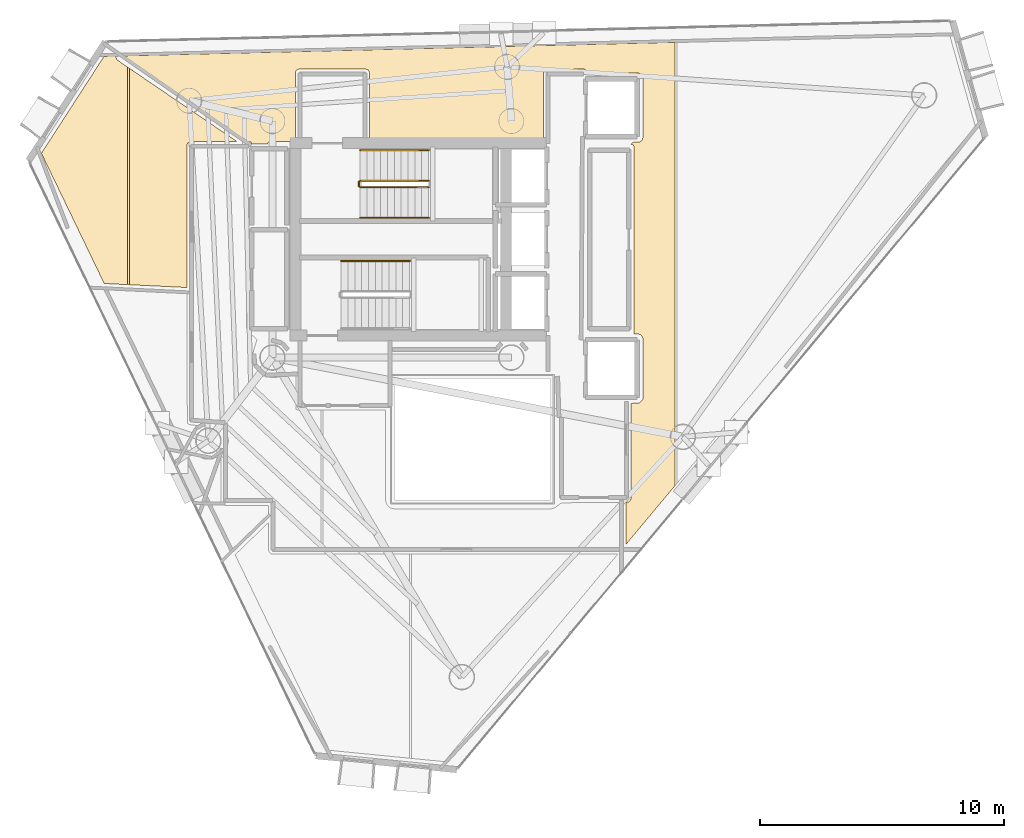
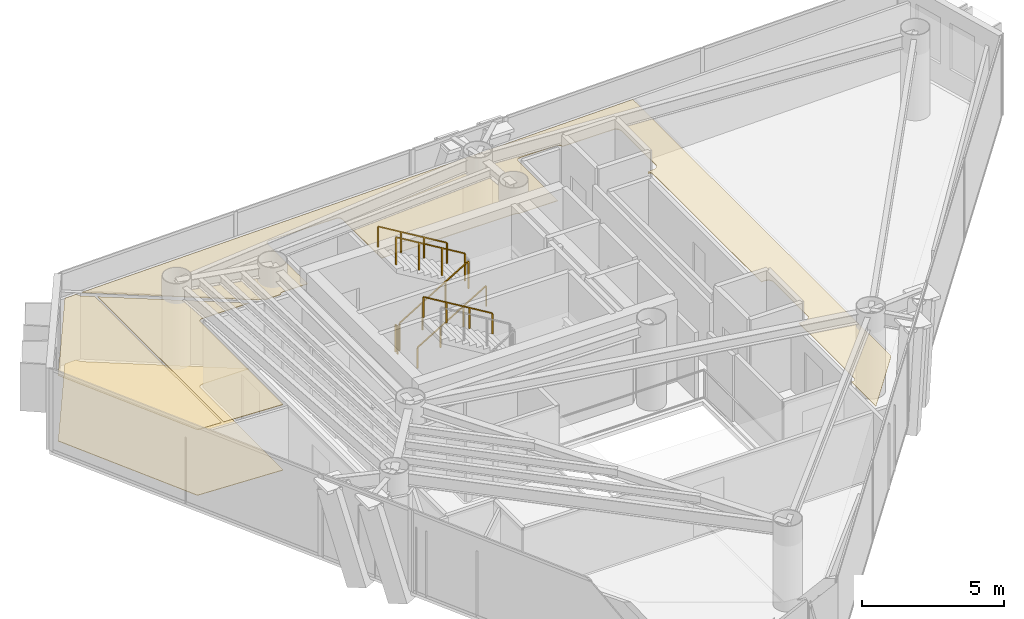
# One storey, part 18 of 20: 6 railings, 4 coverings.
"""IFC4 building model written with IfcOpenShell, lengths in metres."""

from ifc_helpers import new_model, si_unit, direction, frame, origin, origin_2d, place, context, subcontext, project, spatial, polyline, rectangle, outline, extrude, material, layer, layer_set, type_object, element, save


model = new_model("IFC4")

# Units and contexts
model_context = context("Model", 3, precision=1e-05, world=origin(), true_north=direction((0.0, 1.0)))
body_context = subcontext(model_context, "Body", "Model", "MODEL_VIEW")
ifc_project = project(units=[si_unit("LENGTHUNIT", "METRE"), si_unit("AREAUNIT", "SQUARE_METRE"), si_unit("VOLUMEUNIT", "CUBIC_METRE"), si_unit("PLANEANGLEUNIT", "RADIAN"), si_unit("MASSUNIT", "GRAM", prefix="KILO")], contexts=[model_context])

# Site, building, storey
site_placement = place(None, origin())
site = spatial("IfcSite", under=ifc_project, at=site_placement, CompositionType="ELEMENT")
building_placement = place(site_placement, origin())
building = spatial("IfcBuilding", under=site, at=building_placement, Name="Qianvela Tower", CompositionType="ELEMENT")
storey_placement = place(building_placement, frame((0.0, 0.0, 257.5)))
storey = spatial("IfcBuildingStorey", under=building, at=storey_placement, Name="L66", CompositionType="ELEMENT", Elevation=257.5)

# Coverings
ifc_material_1 = material(Name="Perforated Mineral Acoustic Ceiling Tile")
ifc_layer_1 = layer(ifc_material_1, 0.02490234375)
ifc_layer_set_1 = layer_set([ifc_layer_1], Name="Perforated Mineral Acoustic Ceiling Tile")
covering_type_1 = type_object("IfcCoveringType", Name="COV-CEIL-ACOUSTIC-25", PredefinedType="CEILING", material=ifc_layer_set_1)
covering_1_placement = place(storey_placement, frame((0.0, 0.0, 2.81494140625)))
element("IfcCovering", 1, at=covering_1_placement, inside=storey, type_object=covering_type_1, Name="L66 Acoustic Ceiling Bay 1 Project Huddle Conference L66-02", PredefinedType="CEILING", context=body_context, shape_type="SweptSolid", body=[
    extrude(outline(polyline([(28.54296875, 32.709716796875), (28.53662109375, 32.70947265625), (28.530029296875, 32.708740234375), (28.4677734375, 32.69921875), (28.460205078125, 32.697509765625), (28.452880859375, 32.6953125), (28.446044921875, 32.6923828125), (28.439208984375, 32.688720703125), (28.432861328125, 32.6845703125), (28.427001953125, 32.6796875), (28.42138671875, 32.674560546875), (28.41650390625, 32.668701171875), (28.412109375, 32.662353515625), (28.408447265625, 32.65576171875), (28.405517578125, 32.648681640625), (28.403076171875, 32.6416015625), (28.4013671875, 32.634033203125), (28.400390625, 32.62646484375), (28.39892578125, 32.609619140625), (27.754150390625, 32.607421875), (27.73876953125, 32.646240234375), (27.7353515625, 32.6533203125), (27.7314453125, 32.660400390625), (27.726806640625, 32.666748046875), (27.72119140625, 32.6728515625), (27.71533203125, 32.67822265625), (27.708984375, 32.68310546875), (27.7021484375, 32.68701171875), (27.69482421875, 32.6904296875), (27.6875, 32.693115234375), (27.6796875, 32.695068359375), (27.671630859375, 32.6962890625), (27.5439453125, 32.707763671875), (22.398681640625, 36.210693359375), (22.39208984375, 36.222900390625), (45.106201171875, 36.78076171875), (45.106201171875, 18.585693359375), (43.109619140625, 16.197021484375), (43.107421875, 17.923095703125), (43.183837890625, 17.92626953125), (43.19140625, 17.9267578125), (43.19873046875, 17.92822265625), (43.2060546875, 17.93017578125), (43.212890625, 17.932861328125), (43.2197265625, 17.936279296875), (43.22607421875, 17.940185546875), (43.232177734375, 17.94482421875), (43.237548828125, 17.949951171875), (43.24267578125, 17.95556640625), (43.2470703125, 17.961669921875), (43.29638671875, 18.03564453125), (43.300537109375, 18.042236328125), (43.303955078125, 18.04931640625), (43.306640625, 18.056884765625), (43.30859375, 18.064453125), (43.3095703125, 18.072265625), (43.31005859375, 18.080078125), (43.31005859375, 21.97314453125), (43.623779296875, 21.986083984375), (43.6318359375, 21.98681640625), (43.6396484375, 21.98828125), (43.647216796875, 21.990478515625), (43.654541015625, 21.99365234375), (43.66162109375, 21.997314453125), (43.668212890625, 22.001708984375), (43.67431640625, 22.006591796875), (43.679931640625, 22.01220703125), (43.776611328125, 22.118896484375), (43.781982421875, 22.12548828125), (43.78662109375, 22.132568359375), (43.790283203125, 22.139892578125), (43.79345703125, 22.14794921875), (43.79541015625, 22.156005859375), (43.796875, 22.164306640625), (43.79736328125, 22.172607421875), (43.79736328125, 24.627197265625), (43.797119140625, 24.634521484375), (43.7958984375, 24.6416015625), (43.79443359375, 24.648681640625), (43.792236328125, 24.655517578125), (43.789306640625, 24.662109375), (43.785888671875, 24.66845703125), (43.7373046875, 24.749267578125), (43.732666015625, 24.75634765625), (43.727294921875, 24.762939453125), (43.72119140625, 24.768798828125), (43.71435546875, 24.77392578125), (43.70703125, 24.778564453125), (43.699462890625, 24.781982421875), (43.624267578125, 24.813232421875), (43.616943359375, 24.81591796875), (43.609375, 24.81787109375), (43.6015625, 24.81884765625), (43.59375, 24.8193359375), (43.423828125, 24.8193359375), (43.423828125, 24.8193359375), (43.426513671875, 24.826904296875), (43.428466796875, 24.83447265625), (43.4296875, 24.84228515625), (43.429931640625, 24.85009765625), (43.429931640625, 32.5), (43.4296875, 32.5078125), (43.428466796875, 32.515625), (43.426513671875, 32.523193359375), (43.423828125, 32.530517578125), (43.420654296875, 32.53759765625), (43.41650390625, 32.54443359375), (43.411865234375, 32.55078125), (43.406494140625, 32.556640625), (43.40087890625, 32.561767578125), (43.394287109375, 32.56640625), (43.3876953125, 32.570556640625), (43.380615234375, 32.573974609375), (43.373291015625, 32.57666015625), (43.365478515625, 32.57861328125), (43.35791015625, 32.57958984375), (43.35009765625, 32.580078125), (43.298583984375, 32.580078125), (43.375, 32.680908203125), (43.622314453125, 32.68603515625), (43.6298828125, 32.6865234375), (43.63720703125, 32.687744140625), (43.644775390625, 32.689697265625), (43.65185546875, 32.6923828125), (43.65869140625, 32.695556640625), (43.6650390625, 32.699462890625), (43.732666015625, 32.74462890625), (43.739013671875, 32.749267578125), (43.744873046875, 32.754638671875), (43.75, 32.760498046875), (43.754638671875, 32.7666015625), (43.7587890625, 32.7734375), (43.76220703125, 32.780517578125), (43.793212890625, 32.855712890625), (43.7958984375, 32.863037109375), (43.7978515625, 32.87060546875), (43.798828125, 32.87841796875), (43.79931640625, 32.88623046875), (43.800048828125, 35.300048828125), (43.7998046875, 35.306884765625), (43.798828125, 35.313720703125), (43.79736328125, 35.3203125), (43.79541015625, 35.326904296875), (43.763427734375, 35.415771484375), (43.760498046875, 35.423095703125), (43.7568359375, 35.429931640625), (43.75244140625, 35.4365234375), (43.74755859375, 35.4423828125), (43.741943359375, 35.447998046875), (43.73583984375, 35.453125), (43.729248046875, 35.45751953125), (43.6484375, 35.505859375), (43.640869140625, 35.510009765625), (43.6328125, 35.51318359375), (43.62451171875, 35.515380859375), (43.615966796875, 35.516845703125), (43.607421875, 35.517333984375), (41.515625, 35.52001953125), (41.513916015625, 35.554931640625), (41.512939453125, 35.562744140625), (41.511474609375, 35.5703125), (41.509033203125, 35.577880859375), (41.506103515625, 35.585205078125), (41.50244140625, 35.591796875), (41.498046875, 35.598388671875), (41.4931640625, 35.6044921875), (41.487548828125, 35.60986328125), (41.481689453125, 35.614990234375), (41.41552734375, 35.663818359375), (41.409423828125, 35.66796875), (41.40283203125, 35.67138671875), (41.39599609375, 35.674560546875), (41.38916015625, 35.6767578125), (41.3818359375, 35.678466796875), (41.37451171875, 35.67919921875), (41.3671875, 35.6796875), (39.8349609375, 35.66650390625), (39.8271484375, 35.666015625), (39.8193359375, 35.664794921875), (39.81201171875, 35.662841796875), (39.804443359375, 35.660400390625), (39.797607421875, 35.656982421875), (39.791015625, 35.65283203125), (39.78466796875, 35.648193359375), (39.77880859375, 35.64306640625), (39.773681640625, 35.63720703125), (39.76904296875, 35.630859375), (39.764892578125, 35.624267578125), (39.7294921875, 35.5576171875), (39.72607421875, 35.550537109375), (39.723388671875, 35.543212890625), (39.721435546875, 35.53564453125), (39.720458984375, 35.52783203125), (39.719970703125, 35.52001953125), (39.719970703125, 32.719970703125), (38.125, 32.719970703125), (38.03369140625, 32.762451171875), (38.025634765625, 32.765625), (38.017333984375, 32.76806640625), (38.0087890625, 32.76953125), (38.0, 32.77001953125), (32.580078125, 32.77001953125), (32.580078125, 35.52001953125), (32.57958984375, 35.52783203125), (32.57861328125, 35.53564453125), (32.57666015625, 35.543212890625), (32.573974609375, 35.550537109375), (32.550537109375, 35.607177734375), (32.547119140625, 35.6142578125), (32.543212890625, 35.62109375), (32.538330078125, 35.627197265625), (32.533203125, 35.633056640625), (32.52734375, 35.638427734375), (32.52099609375, 35.64306640625), (32.514404296875, 35.647216796875), (32.507080078125, 35.650390625), (32.45068359375, 35.673828125), (32.443115234375, 35.676513671875), (32.435546875, 35.678466796875), (32.427734375, 35.6796875), (32.419921875, 35.679931640625), (29.699951171875, 35.679931640625), (29.692138671875, 35.6796875), (29.684326171875, 35.678466796875), (29.6767578125, 35.676513671875), (29.66943359375, 35.673828125), (29.61279296875, 35.650390625), (29.605712890625, 35.647216796875), (29.59912109375, 35.64306640625), (29.5927734375, 35.638427734375), (29.5869140625, 35.633056640625), (29.58154296875, 35.627197265625), (29.576904296875, 35.62109375), (29.572998046875, 35.6142578125), (29.569580078125, 35.607177734375), (29.546142578125, 35.550537109375), (29.54345703125, 35.543212890625), (29.54150390625, 35.53564453125), (29.540283203125, 35.52783203125), (29.5400390625, 35.52001953125), (29.5400390625, 32.700439453125), (28.54296875, 32.709716796875)])), origin(), (0.0, 0.0, 1.0), 0.025146484375),
])
covering_2_placement = place(storey_placement, frame((0.0, 0.0, 2.81494140625)))
element("IfcCovering", 2, at=covering_2_placement, inside=storey, type_object=covering_type_1, Name="L66 Acoustic Ceiling Bay 1 Debate Lecture Classroom L66-03", PredefinedType="CEILING", context=body_context, shape_type="SweptSolid", body=[
    extrude(outline(polyline([(21.69970703125, 26.886474609375), (19.122314453125, 32.227294921875), (21.691650390625, 36.205810546875), (22.150390625, 36.217041015625), (22.232666015625, 36.06591796875), (22.236572265625, 36.059326171875), (22.240966796875, 36.05322265625), (22.24609375, 36.047607421875), (22.251708984375, 36.04248046875), (22.2578125, 36.0380859375), (22.660400390625, 35.763916015625), (22.660400390625, 26.840087890625), (21.69970703125, 26.886474609375)])), origin(), (0.0, 0.0, 1.0), 0.025146484375),
])
covering_3_placement = place(storey_placement, frame((0.0, 0.0, 2.81494140625)))
element("IfcCovering", 3, at=covering_3_placement, inside=storey, type_object=covering_type_1, Name="L66 Acoustic Ceiling Bay 2 Debate Lecture Classroom L66-03", PredefinedType="CEILING", context=body_context, shape_type="SweptSolid", body=[
    extrude(outline(polyline([(25.2421875, 32.709716796875), (25.234375, 32.70849609375), (25.226806640625, 32.70654296875), (25.219482421875, 32.703857421875), (25.21240234375, 32.70068359375), (25.20556640625, 32.696533203125), (25.131591796875, 32.647216796875), (25.125244140625, 32.642578125), (25.119384765625, 32.63720703125), (25.1142578125, 32.63134765625), (25.109619140625, 32.625), (25.105712890625, 32.618408203125), (25.102294921875, 32.611328125), (25.099609375, 32.60400390625), (25.09765625, 32.59619140625), (25.096435546875, 32.58837890625), (25.09619140625, 32.580810546875), (25.090087890625, 26.722412109375), (22.740478515625, 26.836181640625), (22.740478515625, 35.709228515625), (27.146240234375, 32.7099609375), (25.25, 32.7099609375), (25.2421875, 32.709716796875)])), origin(), (0.0, 0.0, 1.0), 0.025146484375),
])
ifc_material_2 = material(Name="Engineered Acoustic Oak Timber Flooring", Category="wood")
ifc_layer_2 = layer(ifc_material_2, 0.02001953125)
ifc_layer_set_2 = layer_set([ifc_layer_2], Name="Engineered Acoustic Oak Timber Flooring")
covering_type_2 = type_object("IfcCoveringType", Name="COV-FLOOR-OAK-20", PredefinedType="FLOORING", material=ifc_layer_set_2)
covering_4_placement = place(storey_placement, origin())
element("IfcCovering", 4, at=covering_4_placement, inside=storey, type_object=covering_type_2, Name="L66 Finish Flooring Debate Lecture Classroom L66-03", PredefinedType="FLOORING", context=body_context, shape_type="SweptSolid", body=[
    extrude(outline(polyline([(25.25, 32.7099609375), (25.2421875, 32.709716796875), (25.234375, 32.70849609375), (25.226806640625, 32.70654296875), (25.219482421875, 32.703857421875), (25.21240234375, 32.70068359375), (25.20556640625, 32.696533203125), (25.131591796875, 32.647216796875), (25.125244140625, 32.642578125), (25.119384765625, 32.63720703125), (25.1142578125, 32.63134765625), (25.109619140625, 32.625), (25.105712890625, 32.618408203125), (25.102294921875, 32.611328125), (25.099609375, 32.60400390625), (25.09765625, 32.59619140625), (25.096435546875, 32.58837890625), (25.09619140625, 32.580810546875), (25.090087890625, 26.722412109375), (21.69970703125, 26.886474609375), (19.122314453125, 32.227294921875), (21.691650390625, 36.205810546875), (22.150390625, 36.217041015625), (22.232666015625, 36.06591796875), (22.236572265625, 36.059326171875), (22.240966796875, 36.05322265625), (22.24609375, 36.047607421875), (22.251708984375, 36.04248046875), (22.2578125, 36.0380859375), (27.146240234375, 32.7099609375), (25.25, 32.7099609375)])), origin(), (0.0, 0.0, 1.0), 0.02001953125),
])

# Railings
ifc_material_3 = material(Name="Painted Tubular Steel Q355B", Category="steel")
railing_type_1 = type_object("IfcRailingType", Name="RL-STAIR-GUARD-1200", PredefinedType="GUARDRAIL", material=ifc_material_3)
railing_1_placement = place(storey_placement, frame((32.199951171875, 30.840087890625, 0.168212890625)))
element("IfcRailing", 5, at=railing_1_placement, inside=storey, type_object=railing_type_1, Name="L66 ST-1 stair guard 1", PredefinedType="GUARDRAIL", context=body_context, shape_type="SweptSolid", body=[
    extrude(rectangle(XDim=0.050048828125, YDim=0.0400390625, at=origin_2d()), frame((0.0, 0.0, 1.179931640625), z_axis=(0.857242210791, 0.0, 0.514913383045), x_axis=(0.0, 1.0, 0.0)), (0.0, 0.0, 1.0), 3.266357421875),
    extrude(rectangle(XDim=0.050048828125, YDim=0.050048828125, at=origin_2d()), origin(), (0.0, 0.0, 1.0), 1.159912109375),
    extrude(rectangle(XDim=0.050048828125, YDim=0.050048828125, at=origin_2d()), frame((0.933349609375, 0.0, 0.560546875)), (0.0, 0.0, 1.0), 1.159912109375),
    extrude(rectangle(XDim=0.050048828125, YDim=0.050048828125, at=origin_2d()), frame((1.86669921875, 0.0, 1.121337890625)), (0.0, 0.0, 1.0), 1.159912109375),
    extrude(rectangle(XDim=0.050048828125, YDim=0.050048828125, at=origin_2d()), frame((2.800048828125, 0.0, 1.681884765625)), (0.0, 0.0, 1.0), 1.159912109375),
])
railing_2_placement = place(storey_placement, frame((35.0, 31.10009765625, 2.01806640625)))
element("IfcRailing", 6, at=railing_2_placement, inside=storey, type_object=railing_type_1, Name="L66 ST-1 stair guard 3", PredefinedType="GUARDRAIL", context=body_context, shape_type="SweptSolid", body=[
    extrude(rectangle(XDim=0.050048828125, YDim=0.0400390625, at=origin_2d()), frame((0.0, 0.0, 1.179931640625), z_axis=(-0.857242210791, 0.0, 0.514913383045), x_axis=(0.0, -1.0, 0.0)), (0.0, 0.0, 1.0), 3.266357421875),
    extrude(rectangle(XDim=0.050048828125, YDim=0.050048828125, at=origin_2d()), origin(), (0.0, 0.0, 1.0), 1.159912109375),
    extrude(rectangle(XDim=0.050048828125, YDim=0.050048828125, at=origin_2d()), frame((-0.933349609375, 0.0, 0.560546875)), (0.0, 0.0, 1.0), 1.159912109375),
    extrude(rectangle(XDim=0.050048828125, YDim=0.050048828125, at=origin_2d()), frame((-1.86669921875, 0.0, 1.121337890625)), (0.0, 0.0, 1.0), 1.159912109375),
    extrude(rectangle(XDim=0.050048828125, YDim=0.050048828125, at=origin_2d()), frame((-2.800048828125, 0.0, 1.681884765625)), (0.0, 0.0, 1.0), 1.159912109375),
])
railing_3_placement = place(storey_placement, frame((32.14990234375, 30.889892578125, 0.0)))
element("IfcRailing", 7, at=railing_3_placement, inside=storey, type_object=railing_type_1, Name="L66 ST-1 stair guard 4", PredefinedType="GUARDRAIL", context=body_context, shape_type="SweptSolid", body=[
    extrude(rectangle(XDim=0.050048828125, YDim=0.0400390625, at=origin_2d()), frame((0.0, 0.0, 1.179931640625), z_axis=(0.0, 1.0, 0.0), x_axis=(-1.0, 0.0, 0.0)), (0.0, 0.0, 1.0), 0.16015625),
    extrude(rectangle(XDim=0.050048828125, YDim=0.050048828125, at=origin_2d()), origin(), (0.0, 0.0, 1.0), 1.159912109375),
    extrude(rectangle(XDim=0.050048828125, YDim=0.050048828125, at=origin_2d()), frame((0.0, 0.16015625, 0.0)), (0.0, 0.0, 1.0), 1.159912109375),
])
ifc_material_4 = material(Name="Brushed Stainless Steel 304", Category="steel")
railing_type_2 = type_object("IfcRailingType", Name="RL-STAIR-HANDRAIL-900", PredefinedType="HANDRAIL", material=ifc_material_4)
railing_4_placement = place(storey_placement, frame((32.199951171875, 29.590087890625, 0.168212890625)))
element("IfcRailing", 8, at=railing_4_placement, inside=storey, type_object=railing_type_2, Name="L66 ST-1 stair handrail 1", PredefinedType="HANDRAIL", context=body_context, shape_type="SweptSolid", body=[
    extrude(rectangle(XDim=0.050048828125, YDim=0.0400390625, at=origin_2d()), frame((0.0, 0.0, 0.8798828125), z_axis=(0.857242210791, 0.0, 0.514913383045), x_axis=(0.0, 1.0, 0.0)), (0.0, 0.0, 1.0), 3.266357421875),
    extrude(rectangle(XDim=0.050048828125, YDim=0.050048828125, at=origin_2d()), origin(), (0.0, 0.0, 1.0), 0.85986328125),
    extrude(rectangle(XDim=0.050048828125, YDim=0.050048828125, at=origin_2d()), frame((0.933349609375, 0.0, 0.560546875)), (0.0, 0.0, 1.0), 0.85986328125),
    extrude(rectangle(XDim=0.050048828125, YDim=0.050048828125, at=origin_2d()), frame((1.86669921875, 0.0, 1.121337890625)), (0.0, 0.0, 1.0), 0.85986328125),
    extrude(rectangle(XDim=0.050048828125, YDim=0.050048828125, at=origin_2d()), frame((2.800048828125, 0.0, 1.681884765625)), (0.0, 0.0, 1.0), 0.85986328125),
])
for number, where, name in (
    (9, (35.0, 32.35009765625, 2.01806640625), "L66 ST-1 stair handrail 2"),
    (10, (34.219970703125, 27.81005859375, 2.01806640625), "L66 ST-2 stair handrail 2"),
):
    element("IfcRailing", number, at=place(storey_placement, frame(where)), inside=storey, type_object=railing_type_2, Name=name, PredefinedType="HANDRAIL", context=body_context, shape_type="SweptSolid", body=[
        extrude(rectangle(XDim=0.050048828125, YDim=0.0400390625, at=origin_2d()), frame((0.0, 0.0, 0.8798828125), z_axis=(-0.857242210791, 0.0, 0.514913383045), x_axis=(0.0, -1.0, 0.0)), (0.0, 0.0, 1.0), 3.266357421875),
        extrude(rectangle(XDim=0.050048828125, YDim=0.050048828125, at=origin_2d()), origin(), (0.0, 0.0, 1.0), 0.85986328125),
        extrude(rectangle(XDim=0.050048828125, YDim=0.050048828125, at=origin_2d()), frame((-0.933349609375, 0.0, 0.560546875)), (0.0, 0.0, 1.0), 0.85986328125),
        extrude(rectangle(XDim=0.050048828125, YDim=0.050048828125, at=origin_2d()), frame((-1.86669921875, 0.0, 1.121337890625)), (0.0, 0.0, 1.0), 0.85986328125),
        extrude(rectangle(XDim=0.050048828125, YDim=0.050048828125, at=origin_2d()), frame((-2.800048828125, 0.0, 1.681884765625)), (0.0, 0.0, 1.0), 0.85986328125),
    ])

save(model, "model.ifc")
